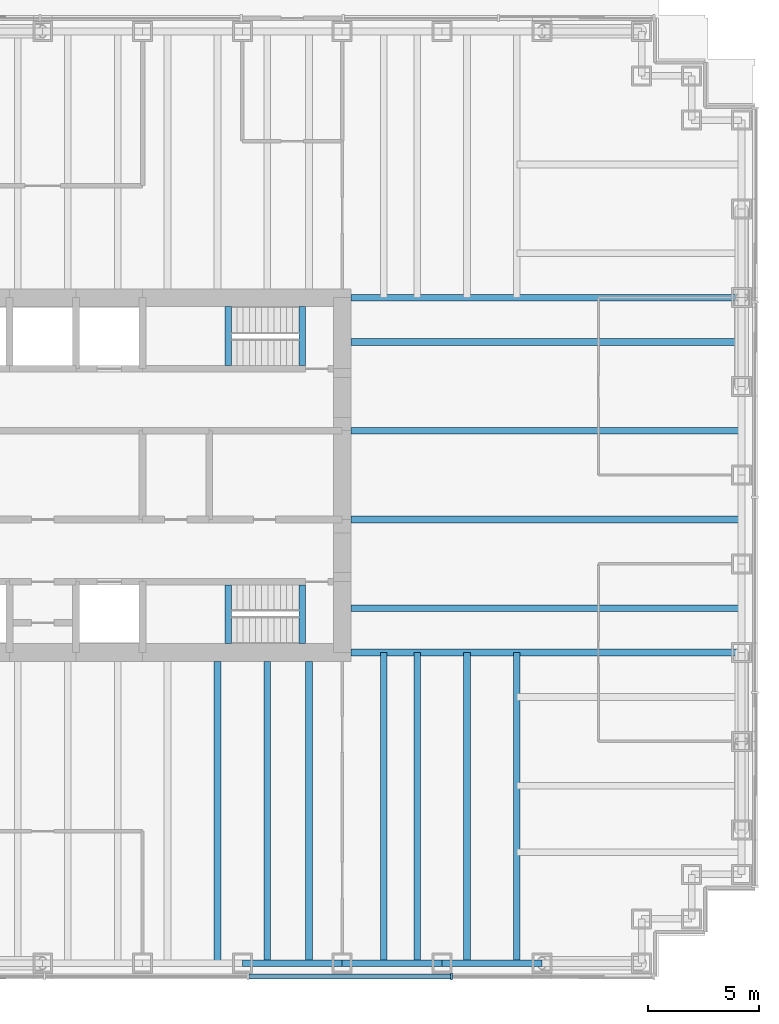
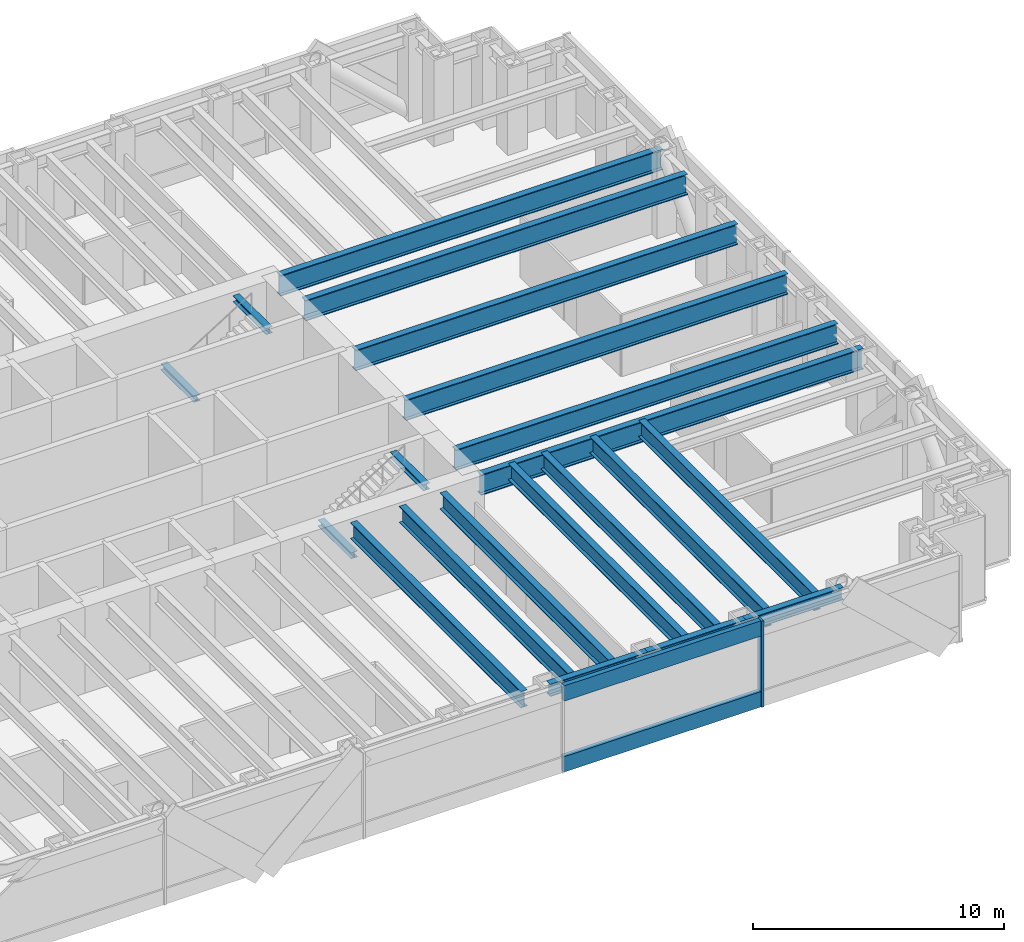
# One storey, part 3 of 14: 20 beams, 3 members, 1 element without a shape of its own.
"""IFC4 building model written with IfcOpenShell, lengths in metres."""

from ifc_helpers import new_model, si_unit, direction, frame, origin, origin_2d, place, context, subcontext, project, spatial, rectangle, i_section, extrude, material, material_profile, profile_set, type_object, element, aggregate, save


model = new_model("IFC4")

# Units and contexts
model_context = context("Model", 3, precision=1e-05, world=origin(), true_north=direction((0.0, 1.0)))
body_context = subcontext(model_context, "Body", "Model", "MODEL_VIEW")
ifc_project = project(units=[si_unit("LENGTHUNIT", "METRE"), si_unit("AREAUNIT", "SQUARE_METRE"), si_unit("VOLUMEUNIT", "CUBIC_METRE"), si_unit("PLANEANGLEUNIT", "RADIAN"), si_unit("MASSUNIT", "GRAM", prefix="KILO")], contexts=[model_context])

# Site, building, storey
site_placement = place(None, origin())
site = spatial("IfcSite", under=ifc_project, at=site_placement, CompositionType="ELEMENT")
building_placement = place(site_placement, origin())
building = spatial("IfcBuilding", under=site, at=building_placement, Name="Rheinbord Bourse Tower", CompositionType="ELEMENT")
storey_placement = place(building_placement, frame((0.0, 0.0, 185.800048828125)))
storey = spatial("IfcBuildingStorey", under=building, at=storey_placement, Name="L41", CompositionType="ELEMENT", Elevation=185.800048828125)

# Curtain wall, members
ifc_material_1 = material(Name="Dark glass and black aluminium", Category="aluminium")
curtain_wall_type = type_object("IfcCurtainWallType", Name="CW6 DARK GLASS CURTAIN WALL", PredefinedType="USERDEFINED", material=ifc_material_1)
curtain_wall_placement = place(storey_placement, origin())
curtain_wall = element("IfcCurtainWall", 1, at=curtain_wall_placement, inside=storey, type_object=curtain_wall_type, Name="Curtain wall CW6 S L41", ObjectType="UNITISED CURTAIN WALL", PredefinedType="USERDEFINED")
ifc_material_2 = material(Name="Black anodised aluminium", Category="aluminium")
ifc_material_profile_1 = material_profile(ifc_material_2, rectangle(XDim=0.320068359375, YDim=0.10009765625, at=origin_2d()), Name="CW6 MULLION 100x320")
ifc_profile_set_1 = profile_set([ifc_material_profile_1], Name="Black anodised aluminium")
member_type_1 = type_object("IfcMemberType", Name="CW6 BLACK MULLION", PredefinedType="MULLION", material=ifc_profile_set_1)
member_1_placement = place(storey_placement, frame((58.928466796875, 1.39990234375, 0.0), z_axis=(0.0, 0.0, 1.0), x_axis=(0.0, 1.0, 0.0)))
member_1 = element("IfcMember", 2, at=member_1_placement, type_object=member_type_1, Name="CW6 mullion 7", PredefinedType="MULLION", context=body_context, shape_type="SweptSolid", body=[
    extrude(rectangle(XDim=0.320068359375, YDim=0.10009765625, at=origin_2d()), origin(), (0.0, 0.0, 1.0), 4.199951171875),
])
ifc_material_3 = material(Name="Black anodised aluminium", Category="aluminium")
ifc_material_profile_2 = material_profile(ifc_material_3, rectangle(XDim=0.219970703125, YDim=0.75, at=origin_2d()), Name="CW6 TRANSOM 750x220")
ifc_profile_set_2 = profile_set([ifc_material_profile_2], Name="Black anodised aluminium")
member_type_2 = type_object("IfcMemberType", Name="CW6 BLACK TRANSOM", PredefinedType="USERDEFINED", material=ifc_profile_set_2)
member_2_placement = place(storey_placement, frame((49.80712890625, 1.39990234375, 0.375), z_axis=(1.0, 0.0, 0.0), x_axis=(0.0, 1.0, 0.0)))
member_2 = element("IfcMember", 3, at=member_2_placement, type_object=member_type_2, Name="CW6 transom 6.1", ObjectType="TRANSOM", PredefinedType="USERDEFINED", context=body_context, shape_type="SweptSolid", body=[
    extrude(rectangle(XDim=0.219970703125, YDim=0.75, at=origin_2d()), origin(), (0.0, 0.0, 1.0), 9.071533203125),
])
member_3_placement = place(storey_placement, frame((49.80712890625, 1.39990234375, 3.824951171875), z_axis=(1.0, 0.0, 0.0), x_axis=(0.0, 1.0, 0.0)))
member_3 = element("IfcMember", 4, at=member_3_placement, type_object=member_type_2, Name="CW6 transom 6.2", ObjectType="TRANSOM", PredefinedType="USERDEFINED", context=body_context, shape_type="SweptSolid", body=[
    extrude(rectangle(XDim=0.219970703125, YDim=0.75, at=origin_2d()), origin(), (0.0, 0.0, 1.0), 9.071533203125),
])
aggregate(curtain_wall, [member_1, member_2, member_3])

# Beams
ifc_material_4 = material(Name="Steel S460", Category="steel")
ifc_material_profile_3 = material_profile(ifc_material_4, i_section(OverallWidth=0.302001953125, OverallDepth=1.008056640625, WebThickness=0.02099609375, FlangeThickness=0.0400390625, at=origin_2d()), Name="HEM 1000")
ifc_profile_set_3 = profile_set([ifc_material_profile_3], Name="Steel S460")
beam_type_1 = type_object("IfcBeamType", Name="END BEAM HEM 1000", PredefinedType="BEAM", material=ifc_profile_set_3)
for number, where, z_axis, x_axis, name in (
    (5, (54.39990234375, 18.0, 3.535888671875), (1.0, 0.0, 0.0), (0.0, 1.0, 0.0), "End beam east 18 L42"),
    (6, (54.39990234375, 22.0, 3.535888671875), (1.0, 0.0, 0.0), (0.0, 1.0, 0.0), "End beam east 22 L42"),
    (7, (54.39990234375, 26.0, 3.535888671875), (1.0, 0.0, 0.0), (0.0, 1.0, 0.0), "End beam east 26 L42"),
    (8, (54.39990234375, 30.0, 3.535888671875), (1.0, 0.0, 0.0), (0.0, 1.0, 0.0), "End beam east 30 L42"),
):
    element("IfcBeam", number, at=place(storey_placement, frame(where, z_axis=z_axis, x_axis=x_axis)), inside=storey, type_object=beam_type_1, Name=name, PredefinedType="BEAM", context=body_context, shape_type="SweptSolid", body=[
        extrude(i_section(OverallWidth=0.302001953125, OverallDepth=1.008056640625, WebThickness=0.02099609375, FlangeThickness=0.0400390625, at=origin_2d()), origin(), (0.0, 0.0, 1.0), 17.60009765625),
    ])
ifc_material_5 = material(Name="Steel S460", Category="steel")
ifc_material_profile_4 = material_profile(ifc_material_5, i_section(OverallWidth=0.300048828125, OverallDepth=0.800048828125, WebThickness=0.017578125, FlangeThickness=0.032958984375, at=origin_2d()), Name="HEB 800")
ifc_profile_set_4 = profile_set([ifc_material_profile_4], Name="Steel S460")
beam_type_2 = type_object("IfcBeamType", Name="FLOOR BEAM HEB 800", PredefinedType="BEAM", material=ifc_profile_set_4)
for number, where, z_axis, x_axis, name in (
    (9, (48.375, 2.0, 3.639892578125), (0.0, 1.0, 0.0), (-1.0, 0.0, 0.0), "Floor beam S-45b L42"),
    (10, (50.625, 2.0, 3.639892578125), (0.0, 1.0, 0.0), (-1.0, 0.0, 0.0), "Floor beam S-49.5a L42"),
    (11, (52.5, 2.0, 3.639892578125), (0.0, 1.0, 0.0), (-1.0, 0.0, 0.0), "Floor beam S-49.5b L42"),
):
    element("IfcBeam", number, at=place(storey_placement, frame(where, z_axis=z_axis, x_axis=x_axis)), inside=storey, type_object=beam_type_2, Name=name, PredefinedType="BEAM", context=body_context, shape_type="SweptSolid", body=[
        extrude(i_section(OverallWidth=0.300048828125, OverallDepth=0.800048828125, WebThickness=0.017578125, FlangeThickness=0.032958984375, at=origin_2d()), origin(), (0.0, 0.0, 1.0), 13.60009765625),
    ])
for number, where, z_axis, x_axis, name in (
    (12, (55.875, 2.0, 3.639892578125), (0.0, 1.0, 0.0), (-1.0, 0.0, 0.0), "Floor beam S-54a L42"),
    (13, (57.375, 2.0, 3.639892578125), (0.0, 1.0, 0.0), (-1.0, 0.0, 0.0), "Floor beam S-54b L42"),
    (14, (59.625, 2.0, 3.639892578125), (0.0, 1.0, 0.0), (-1.0, 0.0, 0.0), "Floor beam S-58.5a L42"),
    (15, (61.875, 2.0, 3.639892578125), (0.0, 1.0, 0.0), (-1.0, 0.0, 0.0), "Floor beam S-58.5b L42"),
):
    element("IfcBeam", number, at=place(storey_placement, frame(where, z_axis=z_axis, x_axis=x_axis)), inside=storey, type_object=beam_type_2, Name=name, PredefinedType="BEAM", context=body_context, shape_type="SweptSolid", body=[
        extrude(i_section(OverallWidth=0.300048828125, OverallDepth=0.800048828125, WebThickness=0.017578125, FlangeThickness=0.032958984375, at=origin_2d()), origin(), (0.0, 0.0, 1.0), 14.0),
    ])
ifc_material_6 = material(Name="Steel S460", Category="steel")
ifc_material_profile_5 = material_profile(ifc_material_6, i_section(OverallWidth=0.302001953125, OverallDepth=1.008056640625, WebThickness=0.02099609375, FlangeThickness=0.0400390625, at=origin_2d()), Name="HEM 1000")
ifc_profile_set_5 = profile_set([ifc_material_profile_5], Name="Steel S460")
beam_type_3 = type_object("IfcBeamType", Name="GIRDER HEM 1000", PredefinedType="BEAM", material=ifc_profile_set_5)
for number, where, z_axis, x_axis, name in (
    (16, (54.39990234375, 16.0, 3.535888671875), (1.0, 0.0, 0.0), (0.0, 1.0, 0.0), "Girder east 16 L42"),
    (17, (54.39990234375, 32.0, 3.535888671875), (1.0, 0.0, 0.0), (0.0, 1.0, 0.0), "Girder east 32 L42"),
):
    element("IfcBeam", number, at=place(storey_placement, frame(where, z_axis=z_axis, x_axis=x_axis)), inside=storey, type_object=beam_type_3, Name=name, PredefinedType="BEAM", context=body_context, shape_type="SweptSolid", body=[
        extrude(i_section(OverallWidth=0.302001953125, OverallDepth=1.008056640625, WebThickness=0.02099609375, FlangeThickness=0.0400390625, at=origin_2d()), origin(), (0.0, 0.0, 1.0), 17.60009765625),
    ])
ifc_material_7 = material(Name="Steel S460", Category="steel")
ifc_material_profile_6 = material_profile(ifc_material_7, i_section(OverallWidth=0.300048828125, OverallDepth=0.300048828125, WebThickness=0.010986328125, FlangeThickness=0.01904296875, at=origin_2d()), Name="HEB 300")
ifc_profile_set_6 = profile_set([ifc_material_profile_6], Name="Steel S460")
beam_type_4 = type_object("IfcBeamType", Name="LANDING TRIMMER HEB 300", PredefinedType="BEAM", material=ifc_profile_set_6)
for number, where, z_axis, x_axis, name in (
    (18, (48.8701171875, 16.39990234375, 1.75), (0.0, 1.0, 0.0), (-1.0, 0.0, 0.0), "Landing trimmer ST3 L41"),
    (19, (52.199951171875, 16.39990234375, 3.889892578125), (0.0, 1.0, 0.0), (-1.0, 0.0, 0.0), "Well trimmer ST3 under L42"),
    (20, (48.8701171875, 28.949951171875, 1.75), (0.0, 1.0, 0.0), (-1.0, 0.0, 0.0), "Landing trimmer ST4 L41"),
    (21, (52.199951171875, 28.949951171875, 3.889892578125), (0.0, 1.0, 0.0), (-1.0, 0.0, 0.0), "Well trimmer ST4 under L42"),
):
    element("IfcBeam", number, at=place(storey_placement, frame(where, z_axis=z_axis, x_axis=x_axis)), inside=storey, type_object=beam_type_4, Name=name, PredefinedType="BEAM", context=body_context, shape_type="SweptSolid", body=[
        extrude(i_section(OverallWidth=0.300048828125, OverallDepth=0.300048828125, WebThickness=0.010986328125, FlangeThickness=0.01904296875, at=origin_2d()), origin(), (0.0, 0.0, 1.0), 2.650146484375),
    ])
ifc_material_8 = material(Name="Steel S460", Category="steel")
ifc_material_profile_7 = material_profile(ifc_material_8, i_section(OverallWidth=0.300048828125, OverallDepth=0.60009765625, WebThickness=0.015380859375, FlangeThickness=0.030029296875, at=origin_2d()), Name="HEB 600")
ifc_profile_set_7 = profile_set([ifc_material_profile_7], Name="Steel S460")
beam_type_5 = type_object("IfcBeamType", Name="SPANDREL HEB 600", PredefinedType="SPANDREL", material=ifc_profile_set_7)
for number, where, z_axis, x_axis, name in (
    (22, (49.5, 2.0, 3.739990234375), (1.0, 0.0, 0.0), (0.0, 1.0, 0.0), "Spandrel S-49.5-S-54 under L42"),
    (23, (54.0, 2.0, 3.739990234375), (1.0, 0.0, 0.0), (0.0, 1.0, 0.0), "Spandrel S-54-S-58.5 under L42"),
    (24, (58.5, 2.0, 3.739990234375), (1.0, 0.0, 0.0), (0.0, 1.0, 0.0), "Spandrel S-58.5-S-63 under L42"),
):
    element("IfcBeam", number, at=place(storey_placement, frame(where, z_axis=z_axis, x_axis=x_axis)), inside=storey, type_object=beam_type_5, Name=name, PredefinedType="SPANDREL", context=body_context, shape_type="SweptSolid", body=[
        extrude(i_section(OverallWidth=0.300048828125, OverallDepth=0.60009765625, WebThickness=0.015380859375, FlangeThickness=0.030029296875, at=origin_2d()), origin(), (0.0, 0.0, 1.0), 4.5),
    ])

save(model, "model.ifc")
